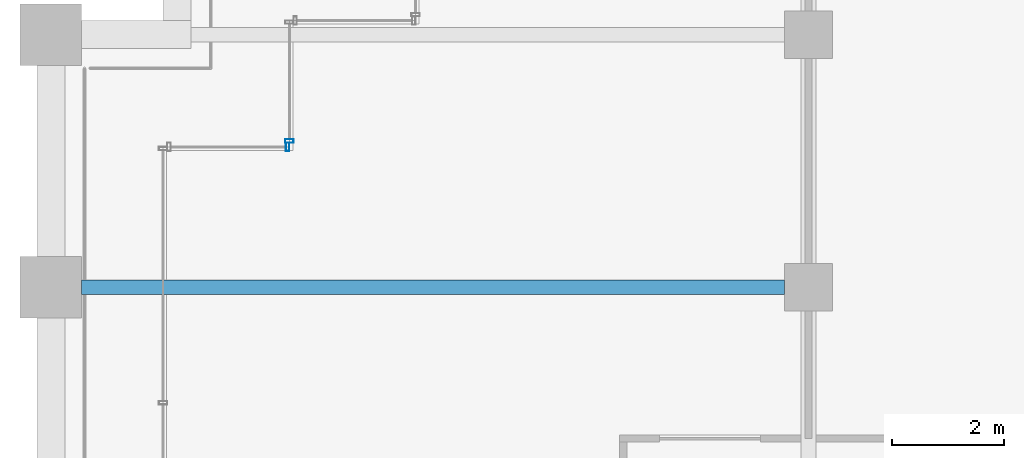
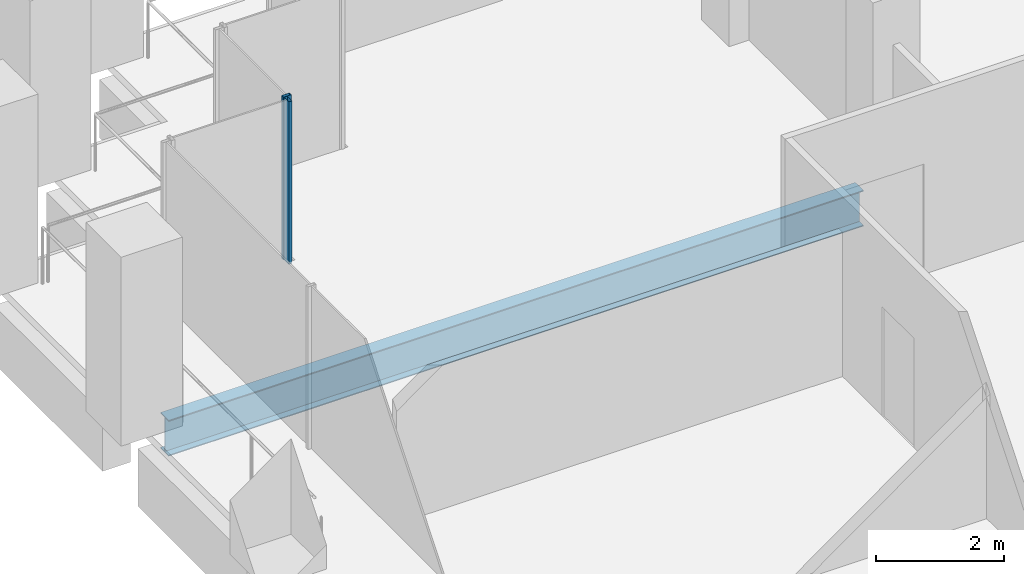
# One storey, part 24 of 56: 2 members, 1 beam, 2 elements without a shape of their own.
"""IFC4 building model written with IfcOpenShell, lengths in metres."""

from ifc_helpers import new_model, si_unit, direction, frame, origin, origin_2d, place, context, subcontext, project, spatial, hollow_rectangle, i_section, extrude, material, material_profile, profile_set, type_object, element, aggregate, save


model = new_model("IFC4")

# Units and contexts
model_context = context("Model", 3, precision=1e-05, world=origin(), true_north=direction((0.0, 1.0)))
body_context = subcontext(model_context, "Body", "Model", "MODEL_VIEW")
ifc_project = project(units=[si_unit("LENGTHUNIT", "METRE"), si_unit("AREAUNIT", "SQUARE_METRE"), si_unit("VOLUMEUNIT", "CUBIC_METRE"), si_unit("PLANEANGLEUNIT", "RADIAN"), si_unit("MASSUNIT", "GRAM", prefix="KILO")], contexts=[model_context])

# Site, building, storey
site_placement = place(None, origin())
site = spatial("IfcSite", under=ifc_project, at=site_placement, CompositionType="ELEMENT")
building_placement = place(site_placement, origin())
building = spatial("IfcBuilding", under=site, at=building_placement, Name="Altepetl Exchange Towers", CompositionType="ELEMENT")
storey_placement = place(building_placement, frame((0.0, 0.0, 69.0)))
storey = spatial("IfcBuildingStorey", under=building, at=storey_placement, Name="L16", CompositionType="ELEMENT", Elevation=69.0)

# Beam
ifc_material_1 = material(Name="Steel S355", Category="steel")
ifc_material_profile_1 = material_profile(ifc_material_1, i_section(OverallWidth=0.25390625, OverallDepth=0.68408203125, WebThickness=0.012451171875, FlangeThickness=0.018798828125, at=origin_2d()), Name="W27X94")
ifc_profile_set_1 = profile_set([ifc_material_profile_1], Name="Steel S355")
beam_type = type_object("IfcBeamType", Name="Floor beam W27X94", PredefinedType="BEAM", material=ifc_profile_set_1)
beam_placement = place(storey_placement, frame((27.550048828125, 63.0, -0.491943359375), z_axis=(1.0, 0.0, 0.0), x_axis=(0.0, 1.0, 0.0)))
element("IfcBeam", 1, at=beam_placement, inside=storey, type_object=beam_type, Name="bm:A:L16:022", PredefinedType="BEAM", context=body_context, shape_type="SweptSolid", body=[
    extrude(i_section(OverallWidth=0.25390625, OverallDepth=0.68408203125, WebThickness=0.012451171875, FlangeThickness=0.018798828125, at=origin_2d()), origin(), (0.0, 0.0, 1.0), 12.52490234375),
])

# Curtain wall, member
ifc_material_2 = material(Name="Aluminium 6063-T6 glazing", Category="aluminium")
curtain_wall_type = type_object("IfcCurtainWallType", Name="Loggia glazing system", PredefinedType="NOTDEFINED", material=ifc_material_2)
curtain_wall_1_placement = place(storey_placement, origin())
curtain_wall_1 = element("IfcCurtainWall", 2, at=curtain_wall_1_placement, inside=storey, type_object=curtain_wall_type, Name="CW1 run", PredefinedType="NOTDEFINED")
ifc_material_3 = material(Name="Aluminium 6063-T6", Category="aluminium")
ifc_material_profile_2 = material_profile(ifc_material_3, hollow_rectangle(XDim=0.06005859375, YDim=0.14990234375, WallThickness=0.0029296875, at=origin_2d()), Name="Mullion 60x150 aluminium")
ifc_profile_set_2 = profile_set([ifc_material_profile_2], Name="Aluminium 6063-T6")
member_type = type_object("IfcMemberType", Name="Mullion 60x150 aluminium", PredefinedType="MULLION", material=ifc_profile_set_2)
member_1_placement = place(storey_placement, frame((31.219970703125, 65.5, 0.0), z_axis=(0.0, 0.0, 1.0), x_axis=(-1.0, 0.0, 0.0)))
member_1 = element("IfcMember", 3, at=member_1_placement, type_object=member_type, Name="MU1 mullion", PredefinedType="MULLION", context=body_context, shape_type="SweptSolid", body=[
    extrude(hollow_rectangle(XDim=0.06005859375, YDim=0.14990234375, WallThickness=0.0029296875, at=origin_2d()), origin(), (0.0, 0.0, 1.0), 3.10009765625),
])
aggregate(curtain_wall_1, [member_1])

curtain_wall_2_placement = place(storey_placement, origin())
curtain_wall_2 = element("IfcCurtainWall", 4, at=curtain_wall_2_placement, inside=storey, type_object=curtain_wall_type, Name="CW1 run", PredefinedType="NOTDEFINED")
member_2_placement = place(storey_placement, frame((31.25, 65.60498046875, 0.0), z_axis=(0.0, 0.0, 1.0), x_axis=(0.0, -1.0, 0.0)))
member_2 = element("IfcMember", 5, at=member_2_placement, type_object=member_type, Name="MU1 mullion", PredefinedType="MULLION", context=body_context, shape_type="SweptSolid", body=[
    extrude(hollow_rectangle(XDim=0.06005859375, YDim=0.14990234375, WallThickness=0.0029296875, at=origin_2d()), origin(), (0.0, 0.0, 1.0), 3.10009765625),
])
aggregate(curtain_wall_2, [member_2])

save(model, "model.ifc")
